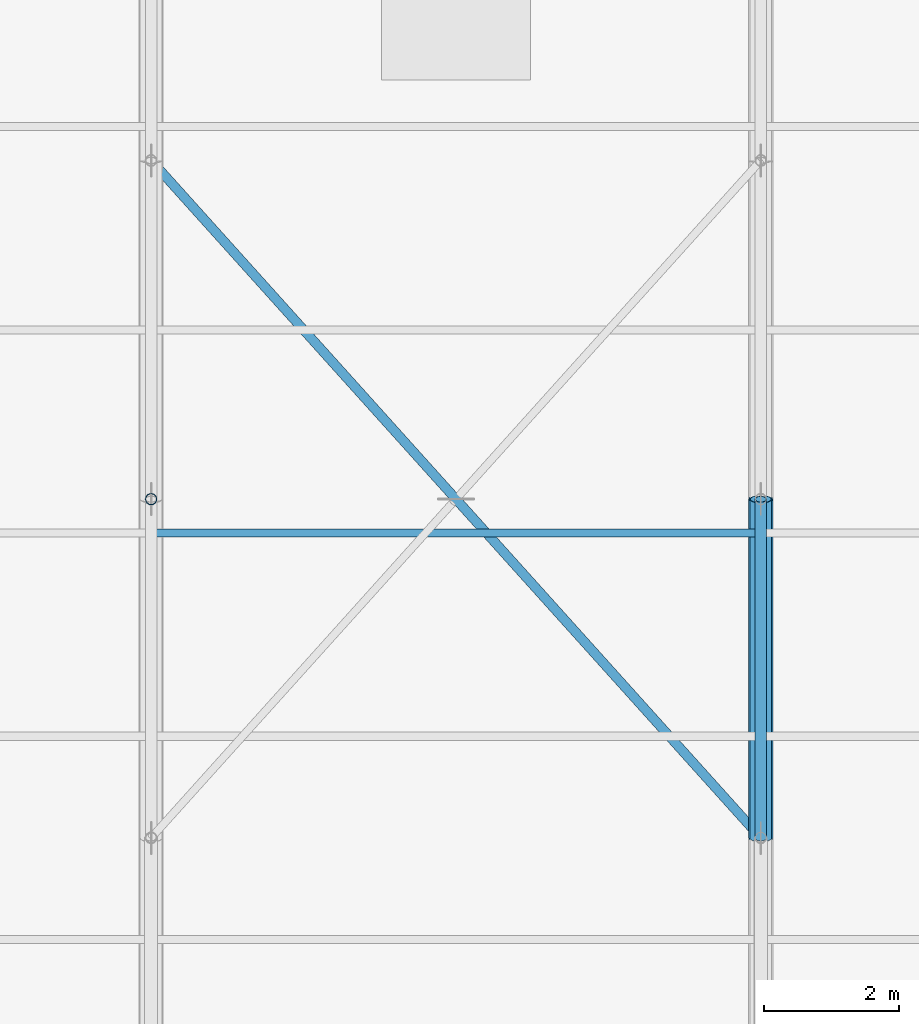
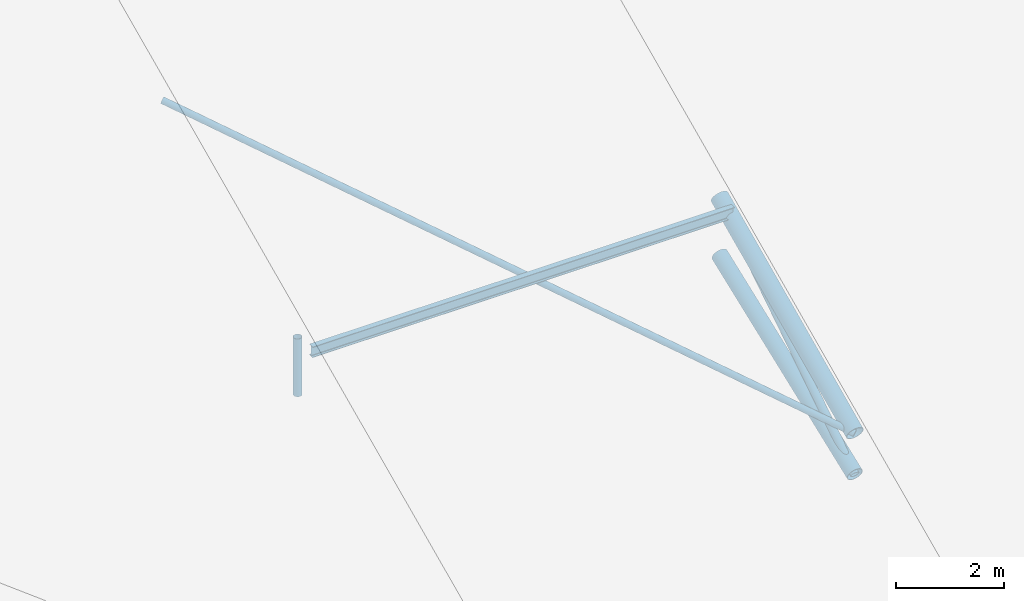
# One storey, part 14 of 107: 6 members.
"""IFC4 building model written with IfcOpenShell, lengths in metres."""

from ifc_helpers import new_model, si_unit, derived_unit, direction, frame, origin, origin_2d, place, context, subcontext, project, spatial, hollow_circle, i_section, extrude, material, material_profile, profile_set, type_object, element, save


model = new_model("IFC4")

# Units and contexts
model_context = context("Model", 3, precision=1e-05, world=origin(), true_north=direction((0.0, 1.0)))
body_context = subcontext(model_context, "Body", "Model", "MODEL_VIEW")
ifc_project = project(units=[si_unit("LENGTHUNIT", "METRE"), si_unit("AREAUNIT", "SQUARE_METRE"), si_unit("VOLUMEUNIT", "CUBIC_METRE"), si_unit("PLANEANGLEUNIT", "RADIAN"), si_unit("MASSUNIT", "GRAM", prefix="KILO"), si_unit("THERMODYNAMICTEMPERATUREUNIT", "KELVIN"), si_unit("TIMEUNIT", "SECOND"), derived_unit("THERMALTRANSMITTANCEUNIT", [(si_unit("MASSUNIT", "GRAM", prefix="KILO"), 1), (si_unit("THERMODYNAMICTEMPERATUREUNIT", "KELVIN"), -1), (si_unit("TIMEUNIT", "SECOND"), -3)])], contexts=[model_context])

# Site, building, storey
site_placement = place(None, origin())
site = spatial("IfcSite", under=ifc_project, at=site_placement, CompositionType="ELEMENT")
building_placement = place(site_placement, origin())
building = spatial("IfcBuilding", under=site, at=building_placement, Name="Cambertide Market Hall", CompositionType="ELEMENT")
storey_placement = place(building_placement, frame((0.0, 0.0, 18.300048828125)))
storey = spatial("IfcBuildingStorey", under=building, at=storey_placement, Name="RF", CompositionType="ELEMENT", Elevation=18.300048828125)

# Members
ifc_material_1 = material(Name="Steel S355", Category="steel")
ifc_material_profile_1 = material_profile(ifc_material_1, hollow_circle(Radius=0.161865234375, WallThickness=0.010009765625, at=origin_2d()), Name="CHS 323.9x10")
ifc_profile_set_1 = profile_set([ifc_material_profile_1], Name="Steel S355")
member_type_1 = type_object("IfcMemberType", Name="Arched Truss Chord CHS 323.9x10", PredefinedType="CHORD", material=ifc_profile_set_1)
member_1_placement = place(storey_placement, frame((78.0, 57.0, -8.1767578125), z_axis=(0.0, 0.933191676524, 0.359379040661), x_axis=(-1.0, 0.0, 0.0)))
element("IfcMember", 1, at=member_1_placement, inside=storey, type_object=member_type_1, Name="Roof Truss 5 Arched Bottom Chord 2", PredefinedType="CHORD", context=body_context, shape_type="SweptSolid", body=[
    extrude(hollow_circle(Radius=0.161865234375, WallThickness=0.010009765625, at=origin_2d()), origin(), (0.0, 0.0, 1.0), 5.35791015625),
])
ifc_material_2 = material(Name="Steel S355", Category="steel")
ifc_material_profile_2 = material_profile(ifc_material_2, hollow_circle(Radius=0.177734375, WallThickness=0.012451171875, at=origin_2d()), Name="CHS 355.6x12.5")
ifc_profile_set_2 = profile_set([ifc_material_profile_2], Name="Steel S355")
member_type_2 = type_object("IfcMemberType", Name="Arched Truss Chord CHS 355.6x12.5", PredefinedType="CHORD", material=ifc_profile_set_2)
member_2_placement = place(storey_placement, frame((78.0, 57.0, -7.25), z_axis=(0.0, 0.908487084298, 0.417912930721), x_axis=(-1.0, 0.0, 0.0)))
element("IfcMember", 2, at=member_2_placement, inside=storey, type_object=member_type_2, Name="Roof Truss 5 Top Chord 2", PredefinedType="CHORD", context=body_context, shape_type="SweptSolid", body=[
    extrude(hollow_circle(Radius=0.177734375, WallThickness=0.012451171875, at=origin_2d()), origin(), (0.0, 0.0, 1.0), 5.503662109375),
])
ifc_material_3 = material(Name="Steel S275", Category="steel")
ifc_material_profile_3 = material_profile(ifc_material_3, i_section(OverallWidth=0.1201171875, OverallDepth=0.239990234375, WebThickness=0.006103515625, FlangeThickness=0.009765625, FilletRadius=0.014892578125, at=origin_2d()), Name="IPE 240")
ifc_profile_set_3 = profile_set([ifc_material_profile_3], Name="Steel S275")
member_type_3 = type_object("IfcMemberType", Name="Roof Purlin IPE 240", PredefinedType="PURLIN", material=ifc_profile_set_3)
member_3_placement = place(storey_placement, frame((69.0, 61.5, -4.969970703125), z_axis=(1.0, 0.0, 0.0), x_axis=(0.0, 1.0, 0.0)))
element("IfcMember", 3, at=member_3_placement, inside=storey, type_object=member_type_3, Name="Barrel Roof Purlin 4-05", PredefinedType="PURLIN", context=body_context, shape_type="SweptSolid", body=[
    extrude(i_section(OverallWidth=0.1201171875, OverallDepth=0.239990234375, WebThickness=0.006103515625, FlangeThickness=0.009765625, FilletRadius=0.014892578125, at=origin_2d()), origin(), (0.0, 0.0, 1.0), 9.0),
])
ifc_material_4 = material(Name="Steel S275", Category="steel")
ifc_material_profile_4 = material_profile(ifc_material_4, hollow_circle(Radius=0.06982421875, WallThickness=0.0048828125, at=origin_2d()), Name="CHS 139.7x5")
ifc_profile_set_4 = profile_set([ifc_material_profile_4], Name="Steel S275")
member_type_4 = type_object("IfcMemberType", Name="Structural Brace CHS 139.7x5", PredefinedType="BRACE", material=ifc_profile_set_4)
member_4_placement = place(storey_placement, frame((69.0, 67.0, -2.650146484375), z_axis=(0.632989261711, -0.703321401901, -0.323517542315), x_axis=(0.743294146247, 0.668964731622, 0.0)))
element("IfcMember", 4, at=member_4_placement, inside=storey, type_object=member_type_4, Name="Roof Wind X-Brace Continuous Diagonal 4-S1", PredefinedType="BRACE", context=body_context, shape_type="SweptSolid", body=[
    extrude(hollow_circle(Radius=0.06982421875, WallThickness=0.0048828125, at=origin_2d()), origin(), (0.0, 0.0, 1.0), 14.21826171875),
])
ifc_material_5 = material(Name="Steel S355", Category="steel")
ifc_material_profile_5 = material_profile(ifc_material_5, hollow_circle(Radius=0.084228515625, WallThickness=0.00634765625, at=origin_2d()), Name="CHS 168.3x6.3")
ifc_profile_set_5 = profile_set([ifc_material_profile_5], Name="Steel S355")
member_type_5 = type_object("IfcMemberType", Name="Structural Brace CHS 168.3x6.3", PredefinedType="BRACE", material=ifc_profile_set_5)
member_5_placement = place(storey_placement, frame((69.0, 62.0, -6.251220703125), z_axis=(0.0, 0.0, 1.0), x_axis=(1.0, 0.0, 0.0)))
element("IfcMember", 5, at=member_5_placement, inside=storey, type_object=member_type_5, Name="Roof Truss 4 Web Post 3", PredefinedType="BRACE", context=body_context, shape_type="SweptSolid", body=[
    extrude(hollow_circle(Radius=0.084228515625, WallThickness=0.00634765625, at=origin_2d()), origin(), (0.0, 0.0, 1.0), 1.30126953125),
])
member_6_placement = place(storey_placement, frame((78.0, 57.0, -8.1767578125), z_axis=(0.0, 0.840220073362, 0.542245542462), x_axis=(-1.0, 0.0, 0.0)))
element("IfcMember", 6, at=member_6_placement, inside=storey, type_object=member_type_5, Name="Roof Truss 5 Web Diagonal 2", PredefinedType="BRACE", context=body_context, shape_type="SweptSolid", body=[
    extrude(hollow_circle(Radius=0.084228515625, WallThickness=0.00634765625, at=origin_2d()), origin(), (0.0, 0.0, 1.0), 5.950927734375),
])

save(model, "model.ifc")
